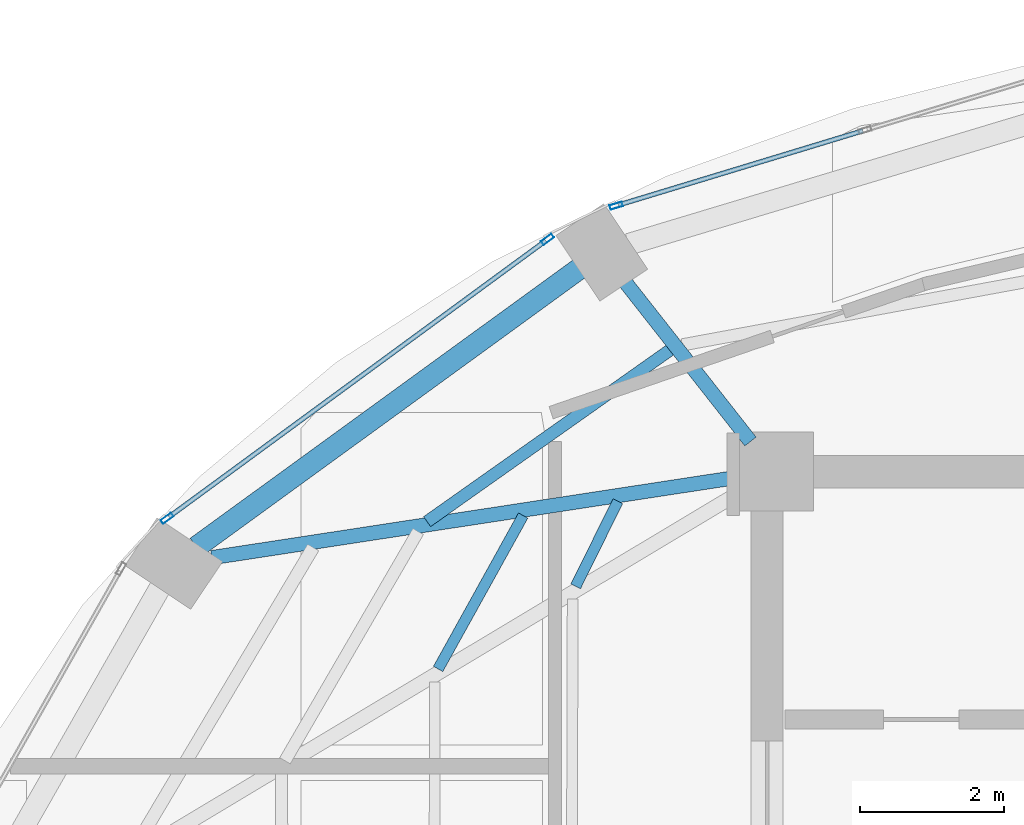
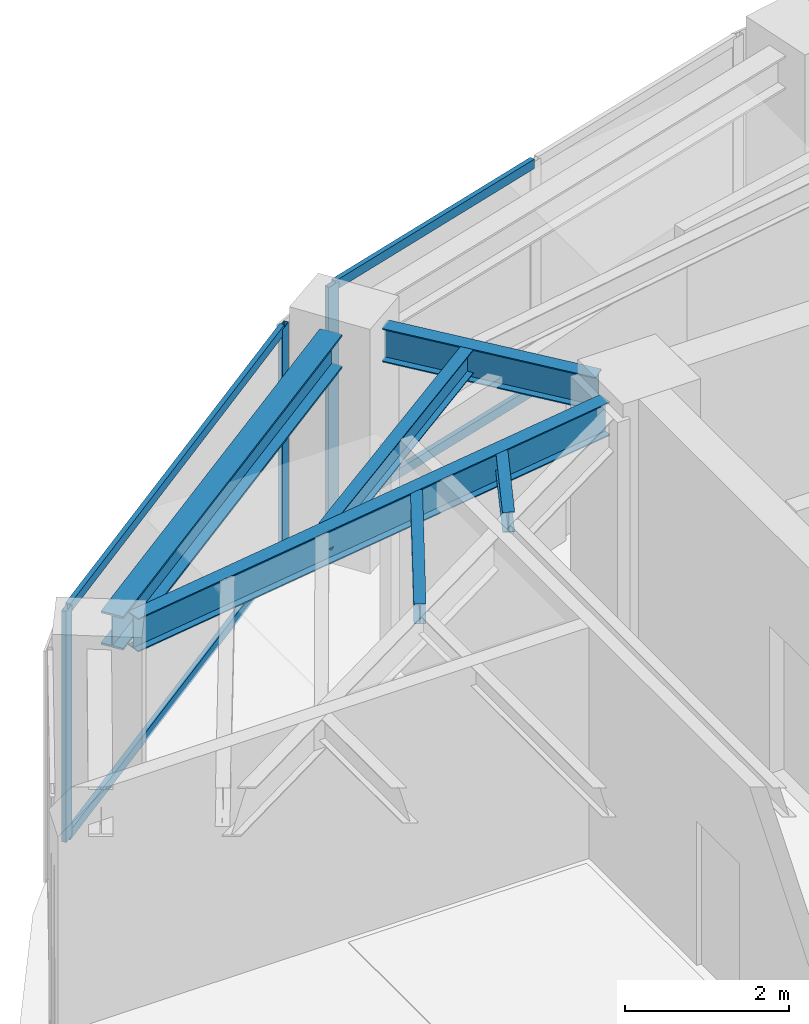
# One storey, part 10 of 23: 7 members, 6 beams, 2 elements without a shape of their own.
"""IFC4 building model written with IfcOpenShell, lengths in metres."""

import ifcopenshell
import ifcopenshell.guid

model = None  # the IFC model being written
_history = None  # IfcOwnerHistory: only IFC2X3 demands one
_inside = {}  # id of a spatial element -> (the spatial element, [elements in it])
_under = {}  # id of a project, library or spatial element -> (it, [spatial elements below it])
_declared = {}  # id of a project -> (the project, [libraries it declares])
_typed = {}  # id of a type object -> (the type object, [elements of that type])
_made_of = {}  # id of a material, layer set ... -> (it, [elements and type objects made of it])


def new_model(schema):
    """Start an empty IFC model of exactly this schema.

    Asked for "IFC4X3", IfcOpenShell would pick the latest addendum, in which some entities
    have other attributes; the version numbers below select the first issue.
    IFC2X3 requires an IfcOwnerHistory on every rooted entity: one is made here for all.
    """
    global model, _history
    if schema == "IFC4X3":
        model = ifcopenshell.file(schema_version=(4, 3, 0, 0))
    else:
        model = ifcopenshell.file(schema=schema)
    _inside.clear()
    _under.clear()
    _declared.clear()
    _typed.clear()
    _made_of.clear()
    _history = None
    if model.schema == "IFC2X3":
        org = make("IfcOrganization", Name="unknown")
        user = make(
            "IfcPersonAndOrganization",
            ThePerson=make("IfcPerson", FamilyName="unknown"),
            TheOrganization=org,
        )
        app = make(
            "IfcApplication",
            ApplicationDeveloper=org,
            Version="unknown",
            ApplicationFullName="unknown",
            ApplicationIdentifier="unknown",
        )
        _history = make(
            "IfcOwnerHistory",
            OwningUser=user,
            OwningApplication=app,
            ChangeAction="ADDED",
            CreationDate=0,
        )
    return model


def make(cls, **values):
    """One entity of the class cls with the attributes given. An attribute that is None is left unset."""
    return model.create_entity(
        cls, **{name: value for name, value in values.items() if value is not None}
    )


def rooted(cls, **values):
    """An entity with a GlobalId (a new one), such as an element, a storey or a relation."""
    return make(cls, GlobalId=ifcopenshell.guid.new(), OwnerHistory=_history, **values)


def si_unit(unit_type, name, prefix=None):
    """IfcSIUnit, for example si_unit("LENGTHUNIT", "METRE", prefix="MILLI")."""
    return make("IfcSIUnit", UnitType=unit_type, Prefix=prefix, Name=name)


def assignment(units):
    """IfcUnitAssignment: the units of a project."""
    return None if units is None else make("IfcUnitAssignment", Units=units)


def point(xyz):
    """IfcCartesianPoint."""
    return None if xyz is None else make("IfcCartesianPoint", Coordinates=xyz)


def direction(xyz):
    """IfcDirection."""
    return None if xyz is None else make("IfcDirection", DirectionRatios=xyz)


def frame(location, z_axis=None, x_axis=None):
    """IfcAxis2Placement3D, a coordinate frame: its origin and axes. An axis left out is left unset."""
    return make(
        "IfcAxis2Placement3D",
        Location=point(location),
        Axis=direction(z_axis),
        RefDirection=direction(x_axis),
    )


def frame_2d(location, x_axis=None):
    """IfcAxis2Placement2D, a coordinate frame in the plane: its origin and x axis."""
    return make(
        "IfcAxis2Placement2D", Location=point(location), RefDirection=direction(x_axis)
    )


def origin():
    """The frame at (0, 0, 0) with its axes left unset."""
    return frame((0.0, 0.0, 0.0))


def origin_2d():
    """The frame at (0, 0) in the plane with its x axis left unset."""
    return frame_2d((0.0, 0.0))


def place(relative_to, where):
    """IfcLocalPlacement: puts the frame where relative to a parent placement (None: the world)."""
    return make(
        "IfcLocalPlacement", PlacementRelTo=relative_to, RelativePlacement=where
    )


def context(
    kind, dimensions, precision=None, world=None, true_north=None, identifier=None
):
    """IfcGeometricRepresentationContext, for example the 3D "Model" context."""
    return make(
        "IfcGeometricRepresentationContext",
        ContextIdentifier=identifier,
        ContextType=kind,
        CoordinateSpaceDimension=dimensions,
        Precision=precision,
        WorldCoordinateSystem=world,
        TrueNorth=true_north,
    )


def subcontext(parent, identifier, kind, view, scale=None):
    """IfcGeometricRepresentationSubContext, for example "Body" below "Model"."""
    return make(
        "IfcGeometricRepresentationSubContext",
        ContextIdentifier=identifier,
        ContextType=kind,
        ParentContext=parent,
        TargetScale=scale,
        TargetView=view,
    )


def project(units=None, contexts=None):
    """IfcProject with its units and contexts."""
    return rooted(
        "IfcProject",
        Name="project",
        RepresentationContexts=contexts,
        UnitsInContext=assignment(units),
    )


def spatial(cls, under=None, at=None, **own):
    """A site, building, storey or space (cls), placed at a placement, below another one or the project."""
    s = rooted(cls, ObjectPlacement=at, **own)
    if under is not None:
        _under.setdefault(under.id(), (under, []))[1].append(s)
    return s


def profile(cls, at=None, kind="AREA", **sizes):
    """A parametric profile (cls). Its sizes go by their IFC names, for example OverallWidth=200.0."""
    return make(cls, ProfileType=kind, Position=at, **sizes)


def hollow_rectangle(**sizes):
    """IfcRectangleHollowProfileDef."""
    return profile("IfcRectangleHollowProfileDef", **sizes)


def i_section(**sizes):
    """IfcIShapeProfileDef."""
    return profile("IfcIShapeProfileDef", **sizes)


def extrude(swept, where, along, depth):
    """IfcExtrudedAreaSolid: the profile swept, set in the frame where, extruded along a direction by depth."""
    return make(
        "IfcExtrudedAreaSolid",
        SweptArea=swept,
        Position=where,
        ExtrudedDirection=direction(along),
        Depth=depth,
    )


def shape(context_of_items, identifier, shape_type, items):
    """IfcShapeRepresentation: the items that make up one representation, for example the "Body"."""
    return make(
        "IfcShapeRepresentation",
        ContextOfItems=context_of_items,
        RepresentationIdentifier=identifier,
        RepresentationType=shape_type,
        Items=items,
    )


def material(Name=None, Category=None):
    """IfcMaterial."""
    return make("IfcMaterial", Name=Name, Category=Category)


def layer(
    of_material, thickness, ventilated=None, Name=None, Category=None, Priority=None
):
    """IfcMaterialLayer: one layer of a wall or slab, of a material (None: an air gap)."""
    return make(
        "IfcMaterialLayer",
        Material=of_material,
        LayerThickness=thickness,
        IsVentilated=ventilated,
        Name=Name,
        Category=Category,
        Priority=Priority,
    )


def layer_set(layers, Name=None):
    """IfcMaterialLayerSet."""
    return make("IfcMaterialLayerSet", MaterialLayers=layers, LayerSetName=Name)


def material_profile(
    of_material, cross_section, Name=None, Category=None, Priority=None
):
    """IfcMaterialProfile: a cross section and its material."""
    return make(
        "IfcMaterialProfile",
        Name=Name,
        Material=of_material,
        Profile=cross_section,
        Priority=Priority,
        Category=Category,
    )


def profile_set(profiles, Name=None, composite=None):
    """IfcMaterialProfileSet."""
    return make(
        "IfcMaterialProfileSet",
        Name=Name,
        MaterialProfiles=profiles,
        CompositeProfile=composite,
    )


def made_of(thing, what):
    """Note that an element or type object is made of a material, layer set ...; save() writes the relation."""
    if what is not None:
        _made_of.setdefault(what.id(), (what, []))[1].append(thing)
    return thing


def type_object(cls, material=None, **own):
    """A type object (cls), such as IfcWallType, which elements share."""
    return made_of(rooted(cls, **own), material)


def element(
    cls,
    number,
    at=None,
    inside=None,
    cuts=None,
    type_object=None,
    material=None,
    context=None,
    identifier="Body",
    shape_type=None,
    held_by="IfcProductDefinitionShape",
    body=None,
    shapes=None,
    **own,
):
    """One element of the class cls, such as IfcWall. Its Tag is "e" and its number.

    at: its placement. inside: the storey or other place that contains it. cuts: it is an
    opening in that element (IfcRelVoidsElement). A single representation is given by context,
    identifier, shape_type and body (its items); several are given by shapes. held_by: the class
    of the entity that holds the representations. save() writes the other relations.
    """
    e = rooted(cls, Tag="e%d" % number, ObjectPlacement=at, **own)
    if body is not None:
        shapes = [shape(context, identifier, shape_type, body)]
    if shapes is not None:
        e.Representation = make(held_by, Representations=shapes)
    if inside is not None:
        _inside.setdefault(inside.id(), (inside, []))[1].append(e)
    if cuts is not None:
        rooted(
            "IfcRelVoidsElement", RelatingBuildingElement=cuts, RelatedOpeningElement=e
        )
    if type_object is not None:
        _typed.setdefault(type_object.id(), (type_object, []))[1].append(e)
    return made_of(e, material)


def aggregate(whole, parts):
    """IfcRelAggregates: a whole, such as a stair, and the parts it consists of."""
    return rooted("IfcRelAggregates", RelatingObject=whole, RelatedObjects=parts)


def save(model, path):
    """Write the relations noted so far, then the file.

    IfcRelAggregates (storeys below a building ...), IfcRelContainedInSpatialStructure (elements
    in a storey), IfcRelDefinesByType, IfcRelAssociatesMaterial and IfcRelDeclares: one each for
    every whole, place, type object, material and project.
    """
    for whole, parts in _under.values():
        aggregate(whole, parts)
    for where, things in _inside.values():
        rooted(
            "IfcRelContainedInSpatialStructure",
            RelatedElements=things,
            RelatingStructure=where,
        )
    for kind, things in _typed.values():
        rooted("IfcRelDefinesByType", RelatedObjects=things, RelatingType=kind)
    for what, things in _made_of.values():
        rooted("IfcRelAssociatesMaterial", RelatedObjects=things, RelatingMaterial=what)
    for by, libraries in _declared.values():
        rooted("IfcRelDeclares", RelatingContext=by, RelatedDefinitions=libraries)
    model.write(path)


model = new_model("IFC4")

# Units and contexts
model_context = context("Model", 3, precision=1e-05, world=origin(), true_north=direction((0.0, 1.0)))
body_context = subcontext(model_context, "Body", "Model", "MODEL_VIEW")
ifc_project = project(units=[si_unit("LENGTHUNIT", "METRE"), si_unit("AREAUNIT", "SQUARE_METRE"), si_unit("VOLUMEUNIT", "CUBIC_METRE"), si_unit("PLANEANGLEUNIT", "RADIAN"), si_unit("MASSUNIT", "GRAM", prefix="KILO")], contexts=[model_context])

# Site, building, storey
site_placement = place(None, origin())
site = spatial("IfcSite", under=ifc_project, at=site_placement, CompositionType="ELEMENT")
building_placement = place(site_placement, origin())
building = spatial("IfcBuilding", under=site, at=building_placement, Name="Lazwardi Medical Tower", CompositionType="ELEMENT")
storey_placement = place(building_placement, frame((0.0, 0.0, 262.320068359375)))
storey = spatial("IfcBuildingStorey", under=building, at=storey_placement, Name="L68", CompositionType="ELEMENT", Elevation=262.320068359375)

# Beams
ifc_material_1 = material(Name="Steel S355", Category="steel")
ifc_material_profile_1 = material_profile(ifc_material_1, i_section(OverallWidth=0.300048828125, OverallDepth=0.5, WebThickness=0.014404296875, FlangeThickness=0.028076171875, at=origin_2d()), Name="HEB 500")
ifc_profile_set_1 = profile_set([ifc_material_profile_1], Name="Steel S355")
beam_type_1 = type_object("IfcBeamType", Name="BM-RB-Z4", PredefinedType="BEAM", material=ifc_profile_set_1)
beam_1_placement = place(storey_placement, frame((23.68408203125, 38.4248046875, 3.197998046875), z_axis=(-0.808889916254, -0.587960120571, 0.0), x_axis=(0.587960120571, -0.808889916254, 0.0)))
element("IfcBeam", 1, at=beam_1_placement, inside=storey, type_object=beam_type_1, Name="Ring beam RB-05 B10 L68", PredefinedType="BEAM", context=body_context, shape_type="SweptSolid", body=[
    extrude(i_section(OverallWidth=0.300048828125, OverallDepth=0.5, WebThickness=0.014404296875, FlangeThickness=0.028076171875, at=origin_2d()), origin(), (0.0, 0.0, 1.0), 6.587158203125),
])
ifc_material_profile_2 = material_profile(ifc_material_1, i_section(OverallWidth=0.199951171875, OverallDepth=0.5, WebThickness=0.01025390625, FlangeThickness=0.01611328125, at=origin_2d()), Name="IPE 500")
ifc_profile_set_2 = profile_set([ifc_material_profile_2], Name="Steel S355")
beam_type_2 = type_object("IfcBeamType", Name="BM-RG-W3", PredefinedType="BEAM", material=ifc_profile_set_2)
beam_2_placement = place(storey_placement, frame((24.330322265625, 38.2333984375, 3.197998046875), z_axis=(0.617890508382, -0.786264153864, 0.0), x_axis=(0.786264153864, 0.617890508382, 0.0)))
element("IfcBeam", 2, at=beam_2_placement, inside=storey, type_object=beam_type_2, Name="Radial girder RG-04 R10 L68", PredefinedType="BEAM", context=body_context, shape_type="SweptSolid", body=[
    extrude(i_section(OverallWidth=0.199951171875, OverallDepth=0.5, WebThickness=0.01025390625, FlangeThickness=0.01611328125, at=origin_2d()), origin(), (0.0, 0.0, 1.0), 2.814453125),
])
beam_3_placement = place(storey_placement, frame((18.569091796875, 34.4033203125, 3.197998046875), z_axis=(0.988522137285, 0.151076087115, 0.0), x_axis=(-0.151076087115, 0.988522137285, 0.0)))
element("IfcBeam", 3, at=beam_3_placement, inside=storey, type_object=beam_type_2, Name="Radial girder RG-04 R11 L68", PredefinedType="BEAM", context=body_context, shape_type="SweptSolid", body=[
    extrude(i_section(OverallWidth=0.199951171875, OverallDepth=0.5, WebThickness=0.01025390625, FlangeThickness=0.01611328125, at=origin_2d()), origin(), (0.0, 0.0, 1.0), 7.38671875),
])
ifc_material_profile_3 = material_profile(ifc_material_1, i_section(OverallWidth=0.169921875, OverallDepth=0.360107421875, WebThickness=0.008056640625, FlangeThickness=0.0126953125, at=origin_2d()), Name="IPE 360")
ifc_profile_set_3 = profile_set([ifc_material_profile_3], Name="Steel S355")
beam_type_3 = type_object("IfcBeamType", Name="BM-SJ-02", PredefinedType="JOIST", material=ifc_profile_set_3)
beam_4_placement = place(storey_placement, frame((24.948486328125, 37.29345703125, 3.267822265625), z_axis=(-0.816711190406, -0.577046645832, 0.0), x_axis=(0.577046645832, -0.816711190406, 0.0)))
element("IfcBeam", 4, at=beam_4_placement, inside=storey, type_object=beam_type_3, Name="Secondary joist SJ-02 R2 B10 L68", PredefinedType="JOIST", context=body_context, shape_type="SweptSolid", body=[
    extrude(i_section(OverallWidth=0.169921875, OverallDepth=0.360107421875, WebThickness=0.008056640625, FlangeThickness=0.0126953125, at=origin_2d()), origin(), (0.0, 0.0, 1.0), 4.139892578125),
])
ifc_material_profile_4 = material_profile(ifc_material_1, i_section(OverallWidth=0.14990234375, OverallDepth=0.300048828125, WebThickness=0.007080078125, FlangeThickness=0.0107421875, at=origin_2d()), Name="IPE 300")
ifc_profile_set_4 = profile_set([ifc_material_profile_4], Name="Steel S355")
beam_type_4 = type_object("IfcBeamType", Name="BM-SJ-03", PredefinedType="JOIST", material=ifc_profile_set_4)
beam_5_placement = place(storey_placement, frame((22.904296875, 34.98974609375, 3.2978515625), z_axis=(-0.484751625998, -0.874651851363, 0.0), x_axis=(0.874651851363, -0.484751625998, 0.0)))
element("IfcBeam", 5, at=beam_5_placement, inside=storey, type_object=beam_type_4, Name="Secondary joist SJ-03 R3 B11 L68", PredefinedType="JOIST", context=body_context, shape_type="SweptSolid", body=[
    extrude(i_section(OverallWidth=0.14990234375, OverallDepth=0.300048828125, WebThickness=0.007080078125, FlangeThickness=0.0107421875, at=origin_2d()), origin(), (0.0, 0.0, 1.0), 2.442626953125),
])
beam_6_placement = place(storey_placement, frame((24.222412109375, 35.188720703125, 3.2978515625), z_axis=(-0.443587297772, -0.89623116954, 0.0), x_axis=(0.89623116954, -0.443587297772, 0.0)))
element("IfcBeam", 6, at=beam_6_placement, inside=storey, type_object=beam_type_4, Name="Secondary joist SJ-03 R4 B11 L68", PredefinedType="JOIST", context=body_context, shape_type="SweptSolid", body=[
    extrude(i_section(OverallWidth=0.14990234375, OverallDepth=0.300048828125, WebThickness=0.007080078125, FlangeThickness=0.0107421875, at=origin_2d()), origin(), (0.0, 0.0, 1.0), 1.32080078125),
])

# Curtain wall, member
ifc_material_2 = material(Name="Anodised bronze aluminium and solar control glazing", Category="aluminium")
ifc_layer = layer(ifc_material_2, 0.18994140625)
ifc_layer_set = layer_set([ifc_layer], Name="Anodised bronze aluminium and solar control glazing")
curtain_wall_type = type_object("IfcCurtainWallType", Name="CW-SYS-04", PredefinedType="NOTDEFINED", material=ifc_layer_set)
curtain_wall_1_placement = place(storey_placement, origin())
curtain_wall_1 = element("IfcCurtainWall", 7, at=curtain_wall_1_placement, inside=storey, type_object=curtain_wall_type, Name="L68 Unitised bronze curtain wall CW-04", PredefinedType="NOTDEFINED")
ifc_material_3 = material(Name="Anodised bronze aluminium", Category="aluminium")
ifc_material_profile_5 = material_profile(ifc_material_3, hollow_rectangle(XDim=0.06494140625, YDim=0.179931640625, WallThickness=0.00390625, at=origin_2d()), Name="ALU-MULLION 180x65x4")
ifc_profile_set_5 = profile_set([ifc_material_profile_5], Name="Anodised bronze aluminium")
member_type_1 = type_object("IfcMemberType", Name="CW-MUL-03", PredefinedType="MULLION", material=ifc_profile_set_5)
member_1_placement = place(storey_placement, frame((24.2001953125, 39.303466796875, 0.0), z_axis=(0.0, 0.0, 1.0), x_axis=(0.290581889515, -0.956850126972, 0.0)))
member_1 = element("IfcMember", 8, at=member_1_placement, type_object=member_type_1, Name="CW-04 mullion 3", PredefinedType="MULLION", context=body_context, shape_type="SweptSolid", body=[
    extrude(hollow_rectangle(XDim=0.06494140625, YDim=0.179931640625, WallThickness=0.00390625, at=origin_2d()), origin(), (0.0, 0.0, 1.0), 3.447998046875),
])

# Curtain wall, members
curtain_wall_2_placement = place(storey_placement, origin())
curtain_wall_2 = element("IfcCurtainWall", 9, at=curtain_wall_2_placement, inside=storey, type_object=curtain_wall_type, Name="L68 Unitised bronze curtain wall CW-04", PredefinedType="NOTDEFINED")
member_2_placement = place(storey_placement, frame((23.24462890625, 38.8349609375, 0.0), z_axis=(0.0, 0.0, 1.0), x_axis=(0.591268230971, -0.806474971121, 0.0)))
member_2 = element("IfcMember", 10, at=member_2_placement, type_object=member_type_1, Name="CW-04 mullion 1", PredefinedType="MULLION", context=body_context, shape_type="SweptSolid", body=[
    extrude(hollow_rectangle(XDim=0.06494140625, YDim=0.179931640625, WallThickness=0.00390625, at=origin_2d()), origin(), (0.0, 0.0, 1.0), 3.447998046875),
])
member_3_placement = place(storey_placement, frame((17.947998046875, 34.95166015625, 0.0), z_axis=(0.0, 0.0, 1.0), x_axis=(0.591268230971, -0.806474971121, 0.0)))
member_3 = element("IfcMember", 11, at=member_3_placement, type_object=member_type_1, Name="CW-04 mullion 2", PredefinedType="MULLION", context=body_context, shape_type="SweptSolid", body=[
    extrude(hollow_rectangle(XDim=0.06494140625, YDim=0.179931640625, WallThickness=0.00390625, at=origin_2d()), origin(), (0.0, 0.0, 1.0), 3.447998046875),
])

# Member
ifc_material_profile_6 = material_profile(ifc_material_3, hollow_rectangle(XDim=0.06494140625, YDim=0.139892578125, WallThickness=0.00341796875, at=origin_2d()), Name="ALU-TRANSOM 140x65x3.5")
ifc_profile_set_6 = profile_set([ifc_material_profile_6], Name="Anodised bronze aluminium")
member_type_2 = type_object("IfcMemberType", Name="CW-TRN-03", PredefinedType="USERDEFINED", material=ifc_profile_set_6)
member_4_placement = place(storey_placement, frame((27.632568359375, 40.345947265625, 0.032470703125), z_axis=(-0.956843409009, -0.290604010015, 0.0), x_axis=(0.290604010015, -0.956843409009, 0.0)))
member_4 = element("IfcMember", 12, at=member_4_placement, type_object=member_type_2, Name="CW-04 transom 2.1", ObjectType="TRANSOM", PredefinedType="USERDEFINED", context=body_context, shape_type="SweptSolid", body=[
    extrude(hollow_rectangle(XDim=0.06494140625, YDim=0.139892578125, WallThickness=0.00341796875, at=origin_2d()), origin(), (0.0, 0.0, 1.0), 3.554443359375),
])

member_5_placement = place(storey_placement, frame((27.632568359375, 40.345947265625, 3.41552734375), z_axis=(-0.956843409009, -0.290604010015, 0.0), x_axis=(0.290604010015, -0.956843409009, 0.0)))
member_5 = element("IfcMember", 13, at=member_5_placement, type_object=member_type_2, Name="CW-04 transom 2.2", ObjectType="TRANSOM", PredefinedType="USERDEFINED", context=body_context, shape_type="SweptSolid", body=[
    extrude(hollow_rectangle(XDim=0.06494140625, YDim=0.139892578125, WallThickness=0.00341796875, at=origin_2d()), origin(), (0.0, 0.0, 1.0), 3.554443359375),
])

aggregate(curtain_wall_1, [member_1, member_4, member_5])

member_6_placement = place(storey_placement, frame((23.218505859375, 38.815673828125, 0.032470703125), z_axis=(-0.80648973359, -0.591248094808, 0.0), x_axis=(0.591248094808, -0.80648973359, 0.0)))
member_6 = element("IfcMember", 14, at=member_6_placement, type_object=member_type_2, Name="CW-04 transom 1.1", ObjectType="TRANSOM", PredefinedType="USERDEFINED", context=body_context, shape_type="SweptSolid", body=[
    extrude(hollow_rectangle(XDim=0.06494140625, YDim=0.139892578125, WallThickness=0.00341796875, at=origin_2d()), origin(), (0.0, 0.0, 1.0), 6.502685546875),
])

member_7_placement = place(storey_placement, frame((23.218505859375, 38.815673828125, 3.41552734375), z_axis=(-0.80648973359, -0.591248094808, 0.0), x_axis=(0.591248094808, -0.80648973359, 0.0)))
member_7 = element("IfcMember", 15, at=member_7_placement, type_object=member_type_2, Name="CW-04 transom 1.2", ObjectType="TRANSOM", PredefinedType="USERDEFINED", context=body_context, shape_type="SweptSolid", body=[
    extrude(hollow_rectangle(XDim=0.06494140625, YDim=0.139892578125, WallThickness=0.00341796875, at=origin_2d()), origin(), (0.0, 0.0, 1.0), 6.502685546875),
])

aggregate(curtain_wall_2, [member_2, member_3, member_6, member_7])

save(model, "model.ifc")
